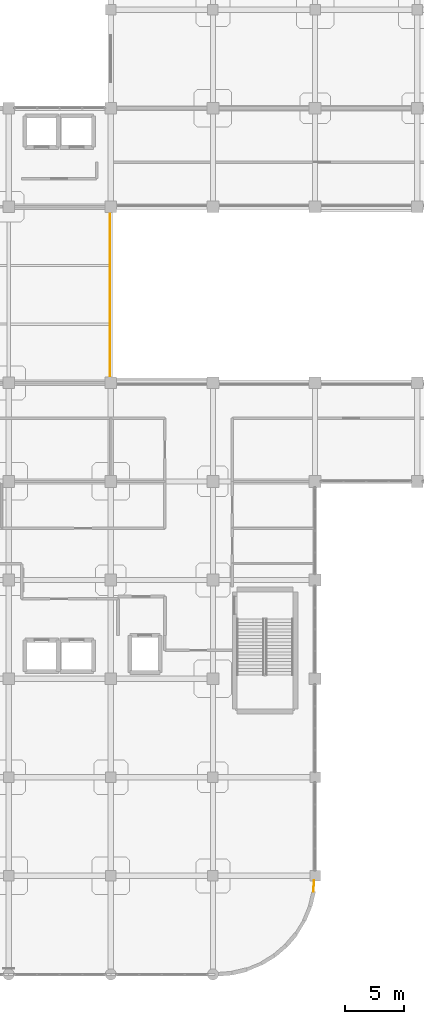
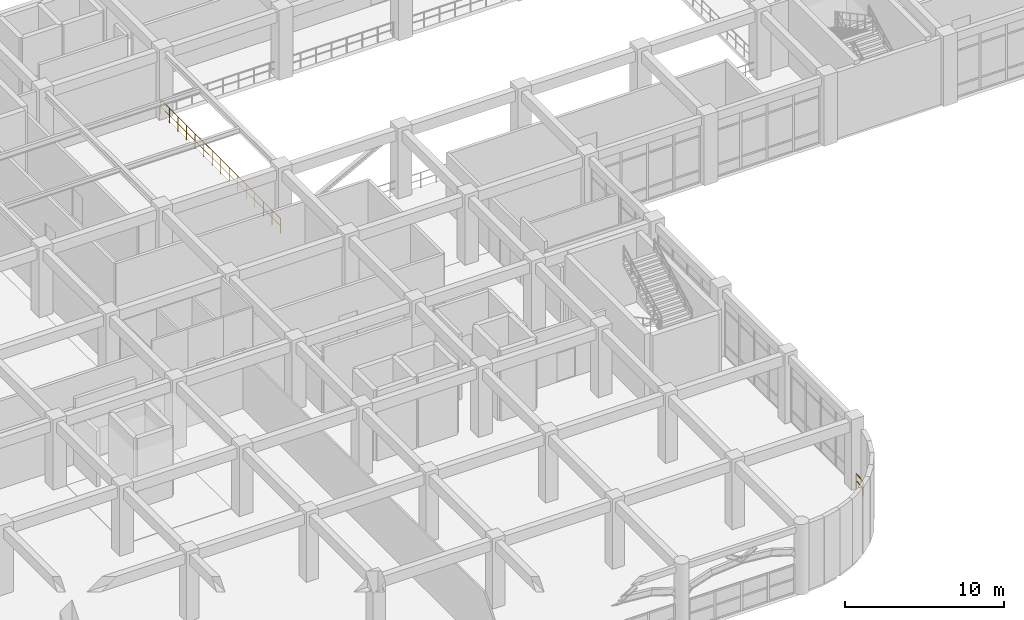
# One storey, part 104 of 114: 2 railings.
"""IFC4 building model written with IfcOpenShell, lengths in metres."""

from ifc_helpers import new_model, si_unit, derived_unit, direction, frame, origin, origin_2d, place, context, subcontext, project, spatial, circle, extrude, material, type_object, element, save


model = new_model("IFC4")

# Units and contexts
model_context = context("Model", 3, precision=1e-05, world=origin(), true_north=direction((0.0, 1.0)))
body_context = subcontext(model_context, "Body", "Model", "MODEL_VIEW")
ifc_project = project(units=[si_unit("LENGTHUNIT", "METRE"), si_unit("AREAUNIT", "SQUARE_METRE"), si_unit("VOLUMEUNIT", "CUBIC_METRE"), si_unit("PLANEANGLEUNIT", "RADIAN"), si_unit("MASSUNIT", "GRAM", prefix="KILO"), derived_unit("THERMALTRANSMITTANCEUNIT", [(si_unit("MASSUNIT", "GRAM", prefix="KILO"), 1), (si_unit("TIMEUNIT", "SECOND"), -3), (si_unit("THERMODYNAMICTEMPERATUREUNIT", "KELVIN"), -1)])], contexts=[model_context])

# Site, building, storey
site_placement = place(None, origin())
site = spatial("IfcSite", under=ifc_project, at=site_placement, CompositionType="ELEMENT")
building_placement = place(site_placement, origin())
building = spatial("IfcBuilding", under=site, at=building_placement, Name="Qinzheling Arcade Emporium", CompositionType="ELEMENT")
storey_placement = place(building_placement, frame((0.0, 0.0, 6.0)))
storey = spatial("IfcBuildingStorey", under=building, at=storey_placement, Name="L02", CompositionType="ELEMENT", Elevation=6.0)

# Railings
ifc_material_1 = material(Name="Architectural bronze rail and laminated safety glass", Category="glass")
railing_type_1 = type_object("IfcRailingType", Name="Curved Terrace Laminated Glass and Bronze Balustrade 1150", PredefinedType="BALUSTRADE", material=ifc_material_1)
railing_1_placement = place(storey_placement, frame((69.4599609375, 7.050048828125, 0.0)))
element("IfcRailing", 1, at=railing_1_placement, inside=storey, type_object=railing_type_1, Name="Terrace Corner Balustrade RLG-TER-L02-CNR-V1", PredefinedType="BALUSTRADE", context=body_context, shape_type="SweptSolid", body=[
    extrude(circle(Radius=0.02392578125, at=origin_2d()), frame((0.0, 0.0, 1.1259765625), z_axis=(0.061799594829, 0.998088578273, 0.0), x_axis=(-0.998088578273, 0.061799594829, 0.0)), (0.0, 0.0, 1.0), 0.971923828125),
    extrude(circle(Radius=0.01611328125, at=origin_2d()), frame((0.0, 0.0, 0.574951171875), z_axis=(0.061799594829, 0.998088578273, 0.0), x_axis=(-0.998088578273, 0.061799594829, 0.0)), (0.0, 0.0, 1.0), 0.971923828125),
    extrude(circle(Radius=0.02099609375, at=origin_2d()), origin(), (0.0, 0.0, 1.0), 1.101806640625),
    extrude(circle(Radius=0.02099609375, at=origin_2d()), frame((0.06005859375, 0.969970703125, 0.0)), (0.0, 0.0, 1.0), 1.101806640625),
])
ifc_material_2 = material(Name="Galvanised powder-coated tubular steel", Category="steel")
railing_type_2 = type_object("IfcRailingType", Name="Painted Steel Stairwell Guard Railing 1150", PredefinedType="GUARDRAIL", material=ifc_material_2)
railing_2_placement = place(storey_placement, frame((52.1201171875, 50.3701171875, 0.0)))
element("IfcRailing", 2, at=railing_2_placement, inside=storey, type_object=railing_type_2, Name="Atrium Void Guard L02 W", PredefinedType="GUARDRAIL", context=body_context, shape_type="SweptSolid", body=[
    extrude(circle(Radius=0.02392578125, at=origin_2d()), frame((0.0, 0.0, 1.1259765625), z_axis=(0.0, 1.0, 0.0), x_axis=(-1.0, 0.0, 0.0)), (0.0, 0.0, 1.0), 15.059814453125),
    extrude(circle(Radius=0.01611328125, at=origin_2d()), frame((0.0, 0.0, 0.574951171875), z_axis=(0.0, 1.0, 0.0), x_axis=(-1.0, 0.0, 0.0)), (0.0, 0.0, 1.0), 15.059814453125),
    extrude(circle(Radius=0.02099609375, at=origin_2d()), origin(), (0.0, 0.0, 1.0), 1.101806640625),
    extrude(circle(Radius=0.02099609375, at=origin_2d()), frame((0.0, 1.07568359375, 0.0)), (0.0, 0.0, 1.0), 1.101806640625),
    extrude(circle(Radius=0.02099609375, at=origin_2d()), frame((0.0, 2.1513671875, 0.0)), (0.0, 0.0, 1.0), 1.101806640625),
    extrude(circle(Radius=0.02099609375, at=origin_2d()), frame((0.0, 3.22705078125, 0.0)), (0.0, 0.0, 1.0), 1.101806640625),
    extrude(circle(Radius=0.02099609375, at=origin_2d()), frame((0.0, 4.302734375, 0.0)), (0.0, 0.0, 1.0), 1.101806640625),
    extrude(circle(Radius=0.02099609375, at=origin_2d()), frame((0.0, 5.37841796875, 0.0)), (0.0, 0.0, 1.0), 1.101806640625),
    extrude(circle(Radius=0.02099609375, at=origin_2d()), frame((0.0, 6.4541015625, 0.0)), (0.0, 0.0, 1.0), 1.101806640625),
    extrude(circle(Radius=0.02099609375, at=origin_2d()), frame((0.0, 7.52978515625, 0.0)), (0.0, 0.0, 1.0), 1.101806640625),
    extrude(circle(Radius=0.02099609375, at=origin_2d()), frame((0.0, 8.605712890625, 0.0)), (0.0, 0.0, 1.0), 1.101806640625),
    extrude(circle(Radius=0.02099609375, at=origin_2d()), frame((0.0, 9.681396484375, 0.0)), (0.0, 0.0, 1.0), 1.101806640625),
    extrude(circle(Radius=0.02099609375, at=origin_2d()), frame((0.0, 10.757080078125, 0.0)), (0.0, 0.0, 1.0), 1.101806640625),
    extrude(circle(Radius=0.02099609375, at=origin_2d()), frame((0.0, 11.832763671875, 0.0)), (0.0, 0.0, 1.0), 1.101806640625),
    extrude(circle(Radius=0.02099609375, at=origin_2d()), frame((0.0, 12.908447265625, 0.0)), (0.0, 0.0, 1.0), 1.101806640625),
    extrude(circle(Radius=0.02099609375, at=origin_2d()), frame((0.0, 13.984130859375, 0.0)), (0.0, 0.0, 1.0), 1.101806640625),
    extrude(circle(Radius=0.02099609375, at=origin_2d()), frame((0.0, 15.059814453125, 0.0)), (0.0, 0.0, 1.0), 1.101806640625),
])

save(model, "model.ifc")
